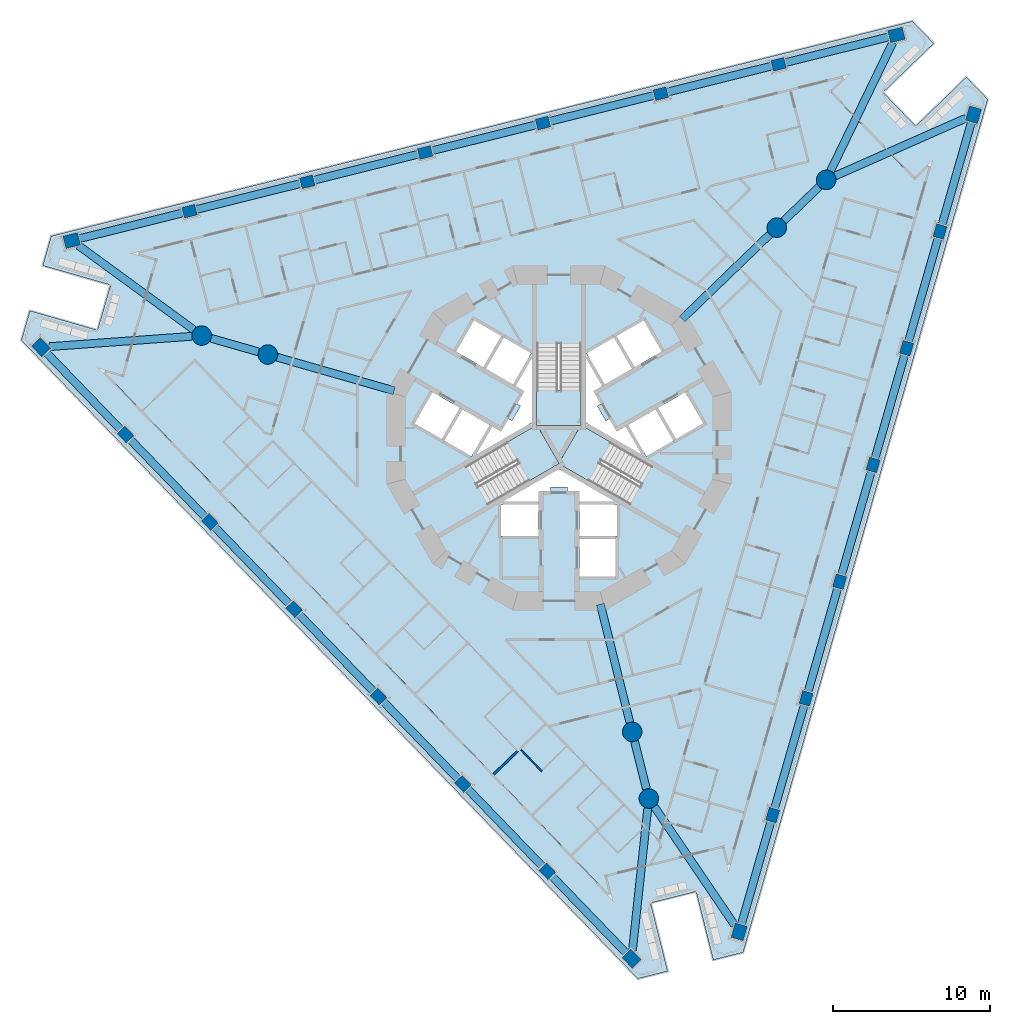
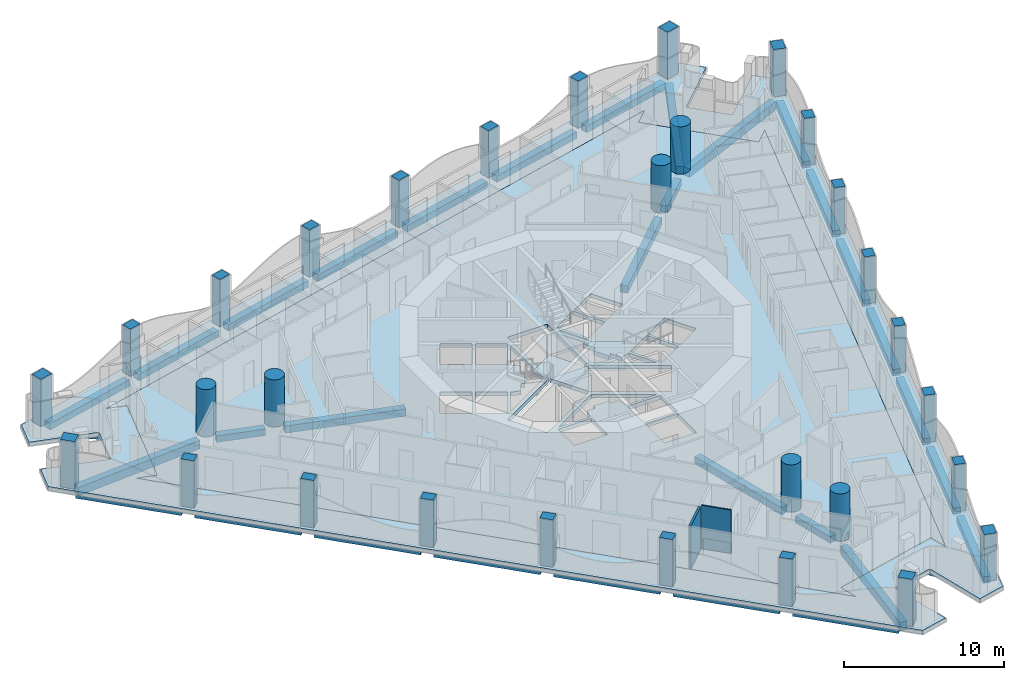
# One storey, part 1 of 20: 33 beams, 30 columns, 6 slabs, 2 walls, 3 elements without a shape of their own.
"""IFC4 building model written with IfcOpenShell, lengths in metres."""

from ifc_helpers import new_model, si_unit, direction, frame, frame_2d, origin, origin_2d, place, context, subcontext, project, spatial, polyline, rectangle, circle, outline, extrude, material, layer, layer_set, material_profile, profile_set, type_object, element, aggregate, save


model = new_model("IFC4")

# Units and contexts
model_context = context("Model", 3, precision=1e-05, world=origin(), true_north=direction((0.0, 1.0)))
body_context = subcontext(model_context, "Body", "Model", "MODEL_VIEW")
ifc_project = project(units=[si_unit("LENGTHUNIT", "METRE"), si_unit("AREAUNIT", "SQUARE_METRE"), si_unit("VOLUMEUNIT", "CUBIC_METRE"), si_unit("PLANEANGLEUNIT", "RADIAN"), si_unit("MASSUNIT", "GRAM", prefix="KILO")], contexts=[model_context])

# Site, building, storey
site_placement = place(None, origin())
site = spatial("IfcSite", under=ifc_project, at=site_placement, CompositionType="ELEMENT")
building_placement = place(site_placement, origin())
building = spatial("IfcBuilding", under=site, at=building_placement, Name="Trine Commons Tower", CompositionType="ELEMENT")
storey_placement = place(building_placement, frame((0.0, 0.0, 112.5)))
storey = spatial("IfcBuildingStorey", under=building, at=storey_placement, Name="L28", CompositionType="ELEMENT", Elevation=112.5)

# Columns
ifc_material_1 = material(Name="Concrete C70/85", Category="concrete")
ifc_material_profile_1 = material_profile(ifc_material_1, rectangle(XDim=0.85009765625, YDim=0.699951171875, at=origin_2d()), Name="RC 850x700")
ifc_profile_set_1 = profile_set([ifc_material_profile_1], Name="Concrete C70/85")
column_type_1 = type_object("IfcColumnType", Name="RC column 850x700, C70/85", PredefinedType="COLUMN", material=ifc_profile_set_1)
for number, where, z_axis, x_axis, name in (
    (1, (79.251708984375, 34.81640625, 0.0), (0.0, 0.0, 1.0), (-0.694658370459, 0.719339800339, 0.0), "Column PC3-02 L28"),
    (2, (73.86279296875, 40.396728515625, 0.0), (0.0, 0.0, 1.0), (-0.694658370459, 0.719339800339, 0.0), "Column PC3-03 L28"),
    (3, (68.473876953125, 45.977294921875, 0.0), (0.0, 0.0, 1.0), (-0.694658370459, 0.719339800339, 0.0), "Column PC3-04 L28"),
    (4, (63.0849609375, 51.5576171875, 0.0), (0.0, 0.0, 1.0), (-0.694658370459, 0.719339800339, 0.0), "Column PC3-05 L28"),
    (5, (57.696044921875, 57.137939453125, 0.0), (0.0, 0.0, 1.0), (-0.694658370459, 0.719339800339, 0.0), "Column PC3-06 L28"),
    (6, (52.30712890625, 62.71826171875, 0.0), (0.0, 0.0, 1.0), (-0.694658370459, 0.719339800339, 0.0), "Column PC3-07 L28"),
    (7, (56.3994140625, 76.98974609375, 0.0), (0.0, 0.0, 1.0), (0.970295726276, 0.2419218956, 0.0), "Column PC3-10 L28"),
    (8, (63.926513671875, 78.86669921875, 0.0), (0.0, 0.0, 1.0), (0.970295726276, 0.2419218956, 0.0), "Column PC3-11 L28"),
    (9, (71.453857421875, 80.743408203125, 0.0), (0.0, 0.0, 1.0), (0.970295726276, 0.2419218956, 0.0), "Column PC3-12 L28"),
    (10, (78.981201171875, 82.6201171875, 0.0), (0.0, 0.0, 1.0), (0.970295726276, 0.2419218956, 0.0), "Column PC3-13 L28"),
    (11, (86.50830078125, 84.496826171875, 0.0), (0.0, 0.0, 1.0), (0.970295726276, 0.2419218956, 0.0), "Column PC3-14 L28"),
    (12, (94.035400390625, 86.37353515625, 0.0), (0.0, 0.0, 1.0), (0.970295726276, 0.2419218956, 0.0), "Column PC3-15 L28"),
    (13, (104.348876953125, 75.69384765625, 0.0), (0.0, 0.0, 1.0), (0.275637355817, 0.961261695938, 0.0), "Column PC3-18 L28"),
    (14, (102.210693359375, 68.23681640625, 0.0), (0.0, 0.0, 1.0), (0.275637355817, 0.961261695938, 0.0), "Column PC3-19 L28"),
    (15, (100.072265625, 60.779541015625, 0.0), (0.0, 0.0, 1.0), (0.275637355817, 0.961261695938, 0.0), "Column PC3-20 L28"),
    (16, (97.93408203125, 53.322509765625, 0.0), (0.0, 0.0, 1.0), (0.275637355817, 0.961261695938, 0.0), "Column PC3-21 L28"),
    (17, (95.795654296875, 45.865234375, 0.0), (0.0, 0.0, 1.0), (0.275637355817, 0.961261695938, 0.0), "Column PC3-22 L28"),
    (18, (93.657470703125, 38.408203125, 0.0), (0.0, 0.0, 1.0), (0.275637355817, 0.961261695938, 0.0), "Column PC3-23 L28"),
):
    element("IfcColumn", number, at=place(storey_placement, frame(where, z_axis=z_axis, x_axis=x_axis)), inside=storey, type_object=column_type_1, Name=name, PredefinedType="COLUMN", context=body_context, shape_type="SweptSolid", body=[
        extrude(rectangle(XDim=0.85009765625, YDim=0.699951171875, at=origin_2d()), origin(), (0.0, 0.0, 1.0), 3.60009765625),
    ])
ifc_material_profile_2 = material_profile(ifc_material_1, rectangle(XDim=0.949951171875, YDim=0.800048828125, at=origin_2d()), Name="RC 950x800")
ifc_profile_set_2 = profile_set([ifc_material_profile_2], Name="Concrete C70/85")
column_type_2 = type_object("IfcColumnType", Name="RC column 950x800, C70/85", PredefinedType="COLUMN", material=ifc_profile_set_2)
for number, where, z_axis, x_axis, name in (
    (19, (84.640625, 29.236083984375, 0.0), (0.0, 0.0, 1.0), (-0.694658370459, 0.719339800339, 0.0), "Column PC3-01 L28"),
    (20, (46.918212890625, 68.298583984375, 0.0), (0.0, 0.0, 1.0), (-0.694658370459, 0.719339800339, 0.0), "Column PC3-08 L28"),
    (21, (48.872314453125, 75.113037109375, 0.0), (0.0, 0.0, 1.0), (0.970295726276, 0.2419218956, 0.0), "Column PC3-09 L28"),
    (22, (101.562744140625, 88.250244140625, 0.0), (0.0, 0.0, 1.0), (0.970295726276, 0.2419218956, 0.0), "Column PC3-16 L28"),
    (23, (106.4873046875, 83.15087890625, 0.0), (0.0, 0.0, 1.0), (0.275637355817, 0.961261695938, 0.0), "Column PC3-17 L28"),
    (24, (91.51904296875, 30.950927734375, 0.0), (0.0, 0.0, 1.0), (0.275637355817, 0.961261695938, 0.0), "Column PC3-24 L28"),
):
    element("IfcColumn", number, at=place(storey_placement, frame(where, z_axis=z_axis, x_axis=x_axis)), inside=storey, type_object=column_type_2, Name=name, PredefinedType="COLUMN", context=body_context, shape_type="SweptSolid", body=[
        extrude(rectangle(XDim=0.949951171875, YDim=0.800048828125, at=origin_2d()), origin(), (0.0, 0.0, 1.0), 3.60009765625),
    ])
ifc_material_profile_3 = material_profile(ifc_material_1, circle(Radius=0.625, at=origin_2d()), Name="RC round 1250")
ifc_profile_set_3 = profile_set([ifc_material_profile_3], Name="Concrete C70/85")
column_type_3 = type_object("IfcColumnType", Name="RC round column 1250 mm, C70/85", PredefinedType="COLUMN", material=ifc_profile_set_3)
for number, where, z_axis, x_axis, name in (
    (25, (84.6806640625, 43.726806640625, 0.0), (0.0, 0.0, 1.0), (1.0, 0.0, 0.0), "Column WC3-1 L28"),
    (26, (85.742919921875, 39.4658203125, 0.0), (0.0, 0.0, 1.0), (1.0, 0.0, 0.0), "Column WC3-2 L28"),
    (27, (93.917724609375, 75.940185546875, 0.0), (0.0, 0.0, 1.0), (1.0, 0.0, 0.0), "Column WC3-3 L28"),
    (28, (97.07666015625, 78.99072265625, 0.0), (0.0, 0.0, 1.0), (1.0, 0.0, 0.0), "Column WC3-4 L28"),
    (29, (61.401611328125, 67.8330078125, 0.0), (0.0, 0.0, 1.0), (1.0, 0.0, 0.0), "Column WC3-5 L28"),
    (30, (57.180419921875, 69.04345703125, 0.0), (0.0, 0.0, 1.0), (1.0, 0.0, 0.0), "Column WC3-6 L28"),
):
    element("IfcColumn", number, at=place(storey_placement, frame(where, z_axis=z_axis, x_axis=x_axis)), inside=storey, type_object=column_type_3, Name=name, PredefinedType="COLUMN", context=body_context, shape_type="SweptSolid", body=[
        extrude(circle(Radius=0.625, at=origin_2d()), origin(), (0.0, 0.0, 1.0), 3.60009765625),
    ])

# Beams
ifc_material_2 = material(Name="Concrete C50/60", Category="concrete")
ifc_material_profile_4 = material_profile(ifc_material_2, rectangle(XDim=0.5, YDim=0.5, at=origin_2d()), Name="RC 500x500")
ifc_profile_set_4 = profile_set([ifc_material_profile_4], Name="Concrete C50/60")
beam_type_1 = type_object("IfcBeamType", Name="RC beam 500x500, C50/60", PredefinedType="BEAM", material=ifc_profile_set_4)
beam_1_placement = place(storey_placement, frame((84.310791015625, 29.57763671875, -0.550048828125), z_axis=(-0.694663760793, 0.719334594915, 0.0), x_axis=(-0.719334594915, -0.694663760793, 0.0)))
element("IfcBeam", 31, at=beam_1_placement, inside=storey, type_object=beam_type_1, Name="Beam EB3-01 L28", PredefinedType="BEAM", context=body_context, shape_type="SweptSolid", body=[
    extrude(rectangle(XDim=0.5, YDim=0.5, at=origin_2d()), origin(), (0.0, 0.0, 1.0), 6.85791015625),
])
for number, where, z_axis, x_axis, name in (
    (32, (78.95654296875, 35.1220703125, -0.550048828125), (-0.694664521959, 0.719333859854, 0.0), (-0.719333859854, -0.694664521959, 0.0), "Beam EB3-02 L28"),
    (33, (73.567626953125, 40.702392578125, -0.550048828125), (-0.694664521959, 0.719333859854, 0.0), (-0.719333859854, -0.694664521959, 0.0), "Beam EB3-03 L28"),
    (34, (68.1787109375, 46.282958984375, -0.550048828125), (-0.694664521959, 0.719333859854, 0.0), (-0.719333859854, -0.694664521959, 0.0), "Beam EB3-04 L28"),
    (35, (62.789794921875, 51.86328125, -0.550048828125), (-0.694664521959, 0.719333859854, 0.0), (-0.719333859854, -0.694664521959, 0.0), "Beam EB3-05 L28"),
    (36, (57.40087890625, 57.443603515625, -0.550048828125), (-0.694664521959, 0.719333859854, 0.0), (-0.719333859854, -0.694664521959, 0.0), "Beam EB3-06 L28"),
):
    element("IfcBeam", number, at=place(storey_placement, frame(where, z_axis=z_axis, x_axis=x_axis)), inside=storey, type_object=beam_type_1, Name=name, PredefinedType="BEAM", context=body_context, shape_type="SweptSolid", body=[
        extrude(rectangle(XDim=0.5, YDim=0.5, at=origin_2d()), origin(), (0.0, 0.0, 1.0), 6.90771484375),
    ])
for number, where, z_axis, x_axis, name in (
    (37, (52.011962890625, 63.02392578125, -0.550048828125), (-0.694645339139, 0.71935238431, 0.0), (-0.71935238431, -0.694645339139, 0.0), "Beam EB3-07 L28"),
    (38, (49.3330078125, 75.22802734375, -0.550048828125), (0.970299359004, 0.241907325057, 0.0), (-0.241907325057, 0.970299359004, 0.0), "Beam EB3-08 L28"),
):
    element("IfcBeam", number, at=place(storey_placement, frame(where, z_axis=z_axis, x_axis=x_axis)), inside=storey, type_object=beam_type_1, Name=name, PredefinedType="BEAM", context=body_context, shape_type="SweptSolid", body=[
        extrude(rectangle(XDim=0.5, YDim=0.5, at=origin_2d()), origin(), (0.0, 0.0, 1.0), 6.857666015625),
    ])
beam_2_placement = place(storey_placement, frame((56.811767578125, 77.092529296875, -0.550048828125), z_axis=(0.970285783578, 0.241961770093, 0.0), x_axis=(-0.241961770093, 0.970285783578, 0.0)))
element("IfcBeam", 39, at=beam_2_placement, inside=storey, type_object=beam_type_1, Name="Beam EB3-09 L28", PredefinedType="BEAM", context=body_context, shape_type="SweptSolid", body=[
    extrude(rectangle(XDim=0.5, YDim=0.5, at=origin_2d()), origin(), (0.0, 0.0, 1.0), 6.90771484375),
])
for number, where, z_axis, x_axis, name in (
    (40, (64.339111328125, 78.969482421875, -0.550048828125), (0.970302376924, 0.241895219745, 0.0), (-0.241895219745, 0.970302376924, 0.0), "Beam EB3-10 L28"),
    (41, (71.8662109375, 80.84619140625, -0.550048828125), (0.970294080751, 0.241928495346, 0.0), (-0.241928495346, 0.970294080751, 0.0), "Beam EB3-11 L28"),
    (42, (79.3935546875, 82.722900390625, -0.550048828125), (0.970294080751, 0.241928495346, 0.0), (-0.241928495346, 0.970294080751, 0.0), "Beam EB3-12 L28"),
    (43, (86.920654296875, 84.599609375, -0.550048828125), (0.970294080751, 0.241928495346, 0.0), (-0.241928495346, 0.970294080751, 0.0), "Beam EB3-13 L28"),
):
    element("IfcBeam", number, at=place(storey_placement, frame(where, z_axis=z_axis, x_axis=x_axis)), inside=storey, type_object=beam_type_1, Name=name, PredefinedType="BEAM", context=body_context, shape_type="SweptSolid", body=[
        extrude(rectangle(XDim=0.5, YDim=0.5, at=origin_2d()), origin(), (0.0, 0.0, 1.0), 6.907470703125),
    ])
for number, where, z_axis, x_axis, name in (
    (44, (94.447998046875, 86.476318359375, -0.550048828125), (0.970288918196, 0.241949199679, 0.0), (-0.241949199679, 0.970288918196, 0.0), "Beam EB3-14 L28"),
    (45, (106.356201171875, 82.6943359375, -0.550048828125), (-0.275623797229, -0.961265583697, 0.0), (0.961265583697, -0.275623797229, 0.0), "Beam EB3-15 L28"),
):
    element("IfcBeam", number, at=place(storey_placement, frame(where, z_axis=z_axis, x_axis=x_axis)), inside=storey, type_object=beam_type_1, Name=name, PredefinedType="BEAM", context=body_context, shape_type="SweptSolid", body=[
        extrude(rectangle(XDim=0.5, YDim=0.5, at=origin_2d()), origin(), (0.0, 0.0, 1.0), 6.857666015625),
    ])
for number, where, z_axis, x_axis, name in (
    (46, (104.231689453125, 75.285400390625, -0.550048828125), (-0.275640588881, -0.961260768866, 0.0), (0.961260768866, -0.275640588881, 0.0), "Beam EB3-16 L28"),
    (47, (102.093505859375, 67.828125, -0.550048828125), (-0.275640588881, -0.961260768866, 0.0), (0.961260768866, -0.275640588881, 0.0), "Beam EB3-17 L28"),
    (48, (99.955078125, 60.37109375, -0.550048828125), (-0.275640588881, -0.961260768866, 0.0), (0.961260768866, -0.275640588881, 0.0), "Beam EB3-18 L28"),
    (49, (97.81689453125, 52.913818359375, -0.550048828125), (-0.275640588881, -0.961260768866, 0.0), (0.961260768866, -0.275640588881, 0.0), "Beam EB3-19 L28"),
    (50, (95.6787109375, 45.456787109375, -0.550048828125), (-0.275673246186, -0.961251403816, 0.0), (0.961251403816, -0.275673246186, 0.0), "Beam EB3-20 L28"),
):
    element("IfcBeam", number, at=place(storey_placement, frame(where, z_axis=z_axis, x_axis=x_axis)), inside=storey, type_object=beam_type_1, Name=name, PredefinedType="BEAM", context=body_context, shape_type="SweptSolid", body=[
        extrude(rectangle(XDim=0.5, YDim=0.5, at=origin_2d()), origin(), (0.0, 0.0, 1.0), 6.90771484375),
    ])
beam_3_placement = place(storey_placement, frame((93.540283203125, 37.99951171875, -0.550048828125), z_axis=(-0.275666126975, -0.961253445476, 0.0), x_axis=(0.961253445476, -0.275666126975, 0.0)))
element("IfcBeam", 51, at=beam_3_placement, inside=storey, type_object=beam_type_1, Name="Beam EB3-21 L28", PredefinedType="BEAM", context=body_context, shape_type="SweptSolid", body=[
    extrude(rectangle(XDim=0.5, YDim=0.5, at=origin_2d()), origin(), (0.0, 0.0, 1.0), 6.857421875),
])
beam_4_placement = place(storey_placement, frame((84.831787109375, 43.12109375, -0.550048828125), z_axis=(0.241895853777, -0.97030221886, 0.0), x_axis=(0.97030221886, 0.241895853777, 0.0)))
element("IfcBeam", 52, at=beam_4_placement, inside=storey, type_object=beam_type_1, Name="Beam RB3-02 L28", PredefinedType="BEAM", context=body_context, shape_type="SweptSolid", body=[
    extrude(rectangle(XDim=0.5, YDim=0.5, at=origin_2d()), origin(), (0.0, 0.0, 1.0), 3.142822265625),
])
beam_5_placement = place(storey_placement, frame((94.366943359375, 76.3740234375, -0.550048828125), z_axis=(0.719314434863, 0.694684636218, 0.0), x_axis=(-0.694684636218, 0.719314434863, 0.0)))
element("IfcBeam", 53, at=beam_5_placement, inside=storey, type_object=beam_type_1, Name="Beam RB3-04 L28", PredefinedType="BEAM", context=body_context, shape_type="SweptSolid", body=[
    extrude(rectangle(XDim=0.5, YDim=0.5, at=origin_2d()), origin(), (0.0, 0.0, 1.0), 3.142333984375),
])
beam_6_placement = place(storey_placement, frame((60.80126953125, 68.005126953125, -0.550048828125), z_axis=(-0.961274333375, 0.275593280026, 0.0), x_axis=(-0.275593280026, -0.961274333375, 0.0)))
element("IfcBeam", 54, at=beam_6_placement, inside=storey, type_object=beam_type_1, Name="Beam RB3-06 L28", PredefinedType="BEAM", context=body_context, shape_type="SweptSolid", body=[
    extrude(rectangle(XDim=0.5, YDim=0.5, at=origin_2d()), origin(), (0.0, 0.0, 1.0), 3.14208984375),
])
ifc_material_profile_5 = material_profile(ifc_material_2, rectangle(XDim=0.5, YDim=0.550048828125, at=origin_2d()), Name="RC 500x550")
ifc_profile_set_5 = profile_set([ifc_material_profile_5], Name="Concrete C50/60")
beam_type_2 = type_object("IfcBeamType", Name="RC beam 500x550, C50/60", PredefinedType="BEAM", material=ifc_profile_set_5)
beam_7_placement = place(storey_placement, frame((82.648681640625, 51.876708984375, -0.574951171875), z_axis=(0.241937131507, -0.970291927411, 0.0), x_axis=(0.970291927411, 0.241937131507, 0.0)))
element("IfcBeam", 55, at=beam_7_placement, inside=storey, type_object=beam_type_2, Name="Beam RB3-01 L28", PredefinedType="BEAM", context=body_context, shape_type="SweptSolid", body=[
    extrude(rectangle(XDim=0.5, YDim=0.550048828125, at=origin_2d()), origin(), (0.0, 0.0, 1.0), 7.775146484375),
])
beam_8_placement = place(storey_placement, frame((87.875732421875, 70.105712890625, -0.574951171875), z_axis=(0.719355467287, 0.694642146493, 0.0), x_axis=(-0.694642146493, 0.719355467287, 0.0)))
element("IfcBeam", 56, at=beam_8_placement, inside=storey, type_object=beam_type_2, Name="Beam RB3-03 L28", PredefinedType="BEAM", context=body_context, shape_type="SweptSolid", body=[
    extrude(rectangle(XDim=0.5, YDim=0.550048828125, at=origin_2d()), origin(), (0.0, 0.0, 1.0), 7.774658203125),
])
beam_9_placement = place(storey_placement, frame((69.4755859375, 65.517822265625, -0.574951171875), z_axis=(-0.961260445822, 0.275641715452, 0.0), x_axis=(-0.275641715452, -0.961260445822, 0.0)))
element("IfcBeam", 57, at=beam_9_placement, inside=storey, type_object=beam_type_2, Name="Beam RB3-05 L28", PredefinedType="BEAM", context=body_context, shape_type="SweptSolid", body=[
    extrude(rectangle(XDim=0.5, YDim=0.550048828125, at=origin_2d()), origin(), (0.0, 0.0, 1.0), 7.77490234375),
])
ifc_material_profile_6 = material_profile(ifc_material_2, rectangle(XDim=0.5, YDim=0.64990234375, at=origin_2d()), Name="RC 500x650")
ifc_profile_set_6 = profile_set([ifc_material_profile_6], Name="Concrete C50/60")
beam_type_3 = type_object("IfcBeamType", Name="RC beam 500x650, C50/60", PredefinedType="BEAM", material=ifc_profile_set_6)
for number, where, z_axis, x_axis, name in (
    (58, (47.437744140625, 68.33642578125, -0.625), (0.997376868149, 0.07238358157, 0.0), (-0.07238358157, 0.997376868149, 0.0), "Beam CB3-01 L28"),
    (59, (49.29296875, 74.8056640625, -0.625), (0.807466452888, -0.589913491506, 0.0), (0.589913491506, 0.807466452888, 0.0), "Beam CB3-02 L28"),
    (60, (101.33544921875, 87.781494140625, -0.625), (-0.435985897384, -0.899953497289, 0.0), (0.899953497289, -0.435985897384, 0.0), "Beam CB3-03 L28"),
    (61, (106.0107421875, 82.940185546875, -0.625), (-0.914616807383, -0.404321772419, 0.0), (0.404321772419, -0.914616807383, 0.0), "Beam CB3-04 L28"),
):
    element("IfcBeam", number, at=place(storey_placement, frame(where, z_axis=z_axis, x_axis=x_axis)), inside=storey, type_object=beam_type_3, Name=name, PredefinedType="BEAM", context=body_context, shape_type="SweptSolid", body=[
        extrude(rectangle(XDim=0.5, YDim=0.64990234375, at=origin_2d()), origin(), (0.0, 0.0, 1.0), 9.143798828125),
    ])
beam_10_placement = place(storey_placement, frame((91.2265625, 31.382080078125, -0.625), z_axis=(-0.561374083617, 0.827562165788, 0.0), x_axis=(-0.827562165788, -0.561374083617, 0.0)))
element("IfcBeam", 62, at=beam_10_placement, inside=storey, type_object=beam_type_3, Name="Beam CB3-05 L28", PredefinedType="BEAM", context=body_context, shape_type="SweptSolid", body=[
    extrude(rectangle(XDim=0.5, YDim=0.64990234375, at=origin_2d()), origin(), (0.0, 0.0, 1.0), 9.143310546875),
])
beam_11_placement = place(storey_placement, frame((84.696533203125, 29.75390625, -0.625), z_axis=(0.107125177559, 0.994245541269, 0.0), x_axis=(-0.994245541269, 0.107125177559, 0.0)))
element("IfcBeam", 63, at=beam_11_placement, inside=storey, type_object=beam_type_3, Name="Beam CB3-06 L28", PredefinedType="BEAM", context=body_context, shape_type="SweptSolid", body=[
    extrude(rectangle(XDim=0.5, YDim=0.64990234375, at=origin_2d()), origin(), (0.0, 0.0, 1.0), 9.1435546875),
])

# Slabs
ifc_layer_1 = layer(ifc_material_2, 0.300048828125)
ifc_layer_set_1 = layer_set([ifc_layer_1], Name="Concrete C50/60")
slab_type_1 = type_object("IfcSlabType", Name="Loggia slab 300 mm, C50/60", PredefinedType="FLOOR", material=ifc_layer_set_1)
slab_1_placement = place(storey_placement, frame((0.0, 0.0, -0.300048828125)))
element("IfcSlab", 64, at=slab_1_placement, inside=storey, type_object=slab_type_1, Name="Loggia slab L28", PredefinedType="FLOOR", context=body_context, shape_type="SweptSolid", body=[
    extrude(outline(polyline([(91.764892578125, 29.632080078125), (107.394775390625, 84.13916015625), (106.0302734375, 85.552001953125), (102.793212890625, 82.426025390625), (100.709228515625, 84.583984375), (103.9462890625, 87.7099609375), (102.581787109375, 89.122802734375), (47.562744140625, 75.405029296875), (47.021240234375, 73.516845703125), (51.346923828125, 72.276611328125), (50.52001953125, 69.392822265625), (46.1943359375, 70.63330078125), (45.653076171875, 68.7451171875), (85.04248046875, 27.9560546875), (86.948486328125, 28.43115234375), (85.85986328125, 32.797607421875), (88.7705078125, 33.523193359375), (89.859375, 29.156982421875), (91.764892578125, 29.632080078125)]), holes=[polyline([(83.27587890625, 33.240478515625), (82.950439453125, 34.545654296875), (90.518798828125, 36.4326171875), (90.843994140625, 35.12744140625), (103.701416015625, 79.966796875), (102.73388671875, 79.032470703125), (97.315673828125, 84.643310546875), (98.283203125, 85.577392578125), (53.022705078125, 74.292724609375), (54.3154296875, 73.922119140625), (52.16552734375, 66.42431640625), (50.872802734375, 66.794921875), (83.27587890625, 33.240478515625)])]), origin(), (0.0, 0.0, 1.0), 0.300048828125),
])
ifc_layer_2 = layer(ifc_material_2, 0.300048828125)
ifc_layer_set_2 = layer_set([ifc_layer_2], Name="Concrete C50/60")
slab_type_2 = type_object("IfcSlabType", Name="PT flat slab 300 mm, C50/60", PredefinedType="FLOOR", material=ifc_layer_set_2)
slab_2_placement = place(storey_placement, frame((0.0, 0.0, -0.300048828125)))
element("IfcSlab", 65, at=slab_2_placement, inside=storey, type_object=slab_type_2, Name="Floor slab L28", PredefinedType="FLOOR", context=body_context, shape_type="SweptSolid", body=[
    extrude(outline(polyline([(50.872802734375, 66.794921875), (83.27587890625, 33.240478515625), (82.950439453125, 34.545654296875), (90.518798828125, 36.4326171875), (90.843994140625, 35.12744140625), (103.701416015625, 79.966796875), (102.73388671875, 79.032470703125), (97.315673828125, 84.643310546875), (98.283203125, 85.577392578125), (53.022705078125, 74.292724609375), (54.3154296875, 73.922119140625), (52.16552734375, 66.42431640625), (50.872802734375, 66.794921875)]), holes=[polyline([(76.300048828125, 56.25), (78.699951171875, 56.25), (78.699951171875, 58.25), (76.300048828125, 58.25), (76.300048828125, 56.25)]), polyline([(81.14990234375, 59.10009765625), (81.300048828125, 58.449951171875), (83.56494140625, 58.449951171875), (80.0, 60.508056640625), (76.43505859375, 58.449951171875), (78.699951171875, 58.449951171875), (78.85009765625, 59.10009765625), (79.449951171875, 59.10009765625), (79.449951171875, 59.360107421875), (80.550048828125, 59.360107421875), (80.550048828125, 59.10009765625), (81.14990234375, 59.10009765625)]), polyline([(80.0, 60.8544921875), (84.4755859375, 58.2705078125), (85.900390625, 60.73876953125), (81.425048828125, 63.32275390625), (81.425048828125, 68.490478515625), (78.574951171875, 68.490478515625), (78.574951171875, 63.32275390625), (74.099609375, 60.73876953125), (75.5244140625, 58.2705078125), (80.0, 60.8544921875)]), polyline([(73.83740234375, 64.325927734375), (72.687255859375, 62.333984375), (74.41943359375, 61.333984375), (75.5693359375, 63.325927734375), (73.83740234375, 64.325927734375)]), polyline([(71.93212890625, 65.426025390625), (70.781982421875, 63.43408203125), (72.51416015625, 62.43408203125), (73.6640625, 64.426025390625), (71.93212890625, 65.426025390625)]), polyline([(76.781005859375, 63.722900390625), (76.381103515625, 63.031005859375), (75.742919921875, 63.22607421875), (74.7099609375, 61.43798828125), (78.27490234375, 63.49609375), (78.27490234375, 67.612060546875), (77.242919921875, 65.823974609375), (77.73095703125, 65.368896484375), (77.3310546875, 64.676025390625), (77.555908203125, 64.5458984375), (77.006103515625, 63.593994140625), (76.781005859375, 63.722900390625)]), polyline([(76.4873046875, 68.916015625), (75.33740234375, 66.924072265625), (77.0693359375, 65.924072265625), (78.219482421875, 67.916015625), (76.4873046875, 68.916015625)]), polyline([(74.58203125, 70.015869140625), (73.43212890625, 68.02392578125), (75.1640625, 67.02392578125), (76.314208984375, 69.015869140625), (74.58203125, 70.015869140625)]), polyline([(81.300048828125, 53.64990234375), (83.60009765625, 53.64990234375), (83.60009765625, 56.050048828125), (81.300048828125, 56.050048828125), (81.300048828125, 53.64990234375)]), polyline([(81.300048828125, 56.25), (83.699951171875, 56.25), (83.699951171875, 58.25), (81.300048828125, 58.25), (81.300048828125, 56.25)]), polyline([(87.312744140625, 62.333984375), (86.16259765625, 64.325927734375), (84.4306640625, 63.325927734375), (85.58056640625, 61.333984375), (87.312744140625, 62.333984375)]), polyline([(89.218017578125, 63.43408203125), (88.06787109375, 65.426025390625), (86.3359375, 64.426025390625), (87.48583984375, 62.43408203125), (89.218017578125, 63.43408203125)]), polyline([(83.243896484375, 63.738037109375), (82.993896484375, 63.593994140625), (82.444091796875, 64.5458984375), (82.72705078125, 64.7099609375), (82.281005859375, 65.549072265625), (82.757080078125, 65.823974609375), (81.72509765625, 67.612060546875), (81.72509765625, 63.49609375), (85.2900390625, 61.43798828125), (84.257080078125, 63.22607421875), (83.618896484375, 63.031005859375), (83.243896484375, 63.738037109375)]), polyline([(82.9306640625, 65.924072265625), (84.66259765625, 66.924072265625), (83.5126953125, 68.916015625), (81.780517578125, 67.916015625), (82.9306640625, 65.924072265625)]), polyline([(84.8359375, 67.02392578125), (86.56787109375, 68.02392578125), (85.41796875, 70.015869140625), (83.685791015625, 69.015869140625), (84.8359375, 67.02392578125)])]), origin(), (0.0, 0.0, 1.0), 0.300048828125),
])
slab_3_placement = place(storey_placement, frame((0.0, 0.0, -0.300048828125)))
element("IfcSlab", 66, at=slab_3_placement, inside=storey, type_object=slab_type_2, Name="Floor slab L28 2", PredefinedType="FLOOR", context=body_context, shape_type="SweptSolid", body=[
    extrude(outline(polyline([(78.61328125, 63.300537109375), (80.0, 60.89892578125), (81.38671875, 63.300537109375), (78.61328125, 63.300537109375)])), origin(), (0.0, 0.0, 1.0), 0.300048828125),
])

# Stair, slab
stair_type = type_object("IfcStairType", Name="Exit stair, dog-leg, 24 risers of 150 mm", PredefinedType="HALF_TURN_STAIR", material=ifc_material_2)
stair_1_placement = place(storey_placement, origin())
stair_1 = element("IfcStair", 67, at=stair_1_placement, inside=storey, type_object=stair_type, Name="L28 Exit stair ST1A", PredefinedType="HALF_TURN_STAIR")
ifc_layer_3 = layer(ifc_material_2, 0.199951171875)
ifc_layer_set_3 = layer_set([ifc_layer_3], Name="Concrete C50/60")
slab_type_3 = type_object("IfcSlabType", Name="Stair landing slab 200 mm, C50/60", PredefinedType="LANDING", material=ifc_layer_set_3)
slab_4_placement = place(storey_placement, frame((0.0, 0.0, 1.60009765625)))
slab_4 = element("IfcSlab", 68, at=slab_4_placement, type_object=slab_type_3, Name="ST1A landing 1", PredefinedType="LANDING", context=body_context, shape_type="SweptSolid", body=[
    extrude(outline(polyline([(78.574951171875, 65.570556640625), (78.574951171875, 63.300537109375), (81.425048828125, 63.300537109375), (81.425048828125, 65.570556640625), (78.574951171875, 65.570556640625)])), origin(), (0.0, 0.0, 1.0), 0.199951171875),
])
aggregate(stair_1, [slab_4])

stair_2_placement = place(storey_placement, origin())
stair_2 = element("IfcStair", 69, at=stair_2_placement, inside=storey, type_object=stair_type, Name="L28 Exit stair ST2A", PredefinedType="HALF_TURN_STAIR")
slab_5_placement = place(storey_placement, frame((0.0, 0.0, 1.60009765625)))
slab_5 = element("IfcSlab", 70, at=slab_5_placement, type_object=slab_type_3, Name="ST2A landing 1", PredefinedType="LANDING", context=body_context, shape_type="SweptSolid", body=[
    extrude(outline(polyline([(78.05322265625, 59.730712890625), (80.019287109375, 60.86572265625), (78.59423828125, 63.333740234375), (76.628173828125, 62.19873046875), (78.05322265625, 59.730712890625)])), origin(), (0.0, 0.0, 1.0), 0.199951171875),
])
aggregate(stair_2, [slab_5])

stair_3_placement = place(storey_placement, origin())
stair_3 = element("IfcStair", 71, at=stair_3_placement, inside=storey, type_object=stair_type, Name="L28 Exit stair ST3A", PredefinedType="HALF_TURN_STAIR")
slab_6_placement = place(storey_placement, frame((0.0, 0.0, 1.60009765625)))
slab_6 = element("IfcSlab", 72, at=slab_6_placement, type_object=slab_type_3, Name="ST3A landing 1", PredefinedType="LANDING", context=body_context, shape_type="SweptSolid", body=[
    extrude(outline(polyline([(83.371826171875, 62.19873046875), (81.40576171875, 63.333740234375), (79.980712890625, 60.86572265625), (81.94677734375, 59.730712890625), (83.371826171875, 62.19873046875)])), origin(), (0.0, 0.0, 1.0), 0.199951171875),
])
aggregate(stair_3, [slab_6])

# Walls
ifc_material_3 = material(Name="Gypsum plasterboard on steel stud", Category="steel")
ifc_layer_4 = layer(ifc_material_3, 0.14990234375)
ifc_layer_set_4 = layer_set([ifc_layer_4], Name="Gypsum plasterboard on steel stud")
wall_type_1 = type_object("IfcWallType", Name="Unit and corridor wall 150 mm, EI 60", PredefinedType="PARTITIONING", material=ifc_layer_set_4)
wall_1_placement = place(storey_placement, frame((75.826904296875, 41.01171875, 0.0), z_axis=(0.0, 0.0, 1.0), x_axis=(0.719477704354, 0.694515538298, 0.0)))
element("IfcWall", 73, at=wall_1_placement, inside=storey, type_object=wall_type_1, Name="Partition 058", PredefinedType="PARTITIONING", context=body_context, shape_type="SweptSolid", body=[
    extrude(rectangle(XDim=2.151611328125, YDim=0.14990234375, at=frame_2d((1.07568359375, 0.0))), origin(), (0.0, 0.0, 1.0), 3.300048828125),
])
ifc_layer_5 = layer(ifc_material_3, 0.10009765625)
ifc_layer_set_5 = layer_set([ifc_layer_5], Name="Gypsum plasterboard on steel stud")
wall_type_2 = type_object("IfcWallType", Name="Unit partition 100 mm, no rating", PredefinedType="PARTITIONING", material=ifc_layer_set_5)
wall_2_placement = place(storey_placement, frame((77.568115234375, 42.589111328125, 0.0), z_axis=(0.0, 0.0, 1.0), x_axis=(0.694438310909, -0.719552244345, 0.0)))
element("IfcWall", 74, at=wall_2_placement, inside=storey, type_object=wall_type_2, Name="Partition 064", PredefinedType="PARTITIONING", context=body_context, shape_type="SweptSolid", body=[
    extrude(rectangle(XDim=1.9248046875, YDim=0.10009765625, at=frame_2d((0.96240234375, 0.0))), origin(), (0.0, 0.0, 1.0), 3.300048828125),
])

save(model, "model.ifc")
